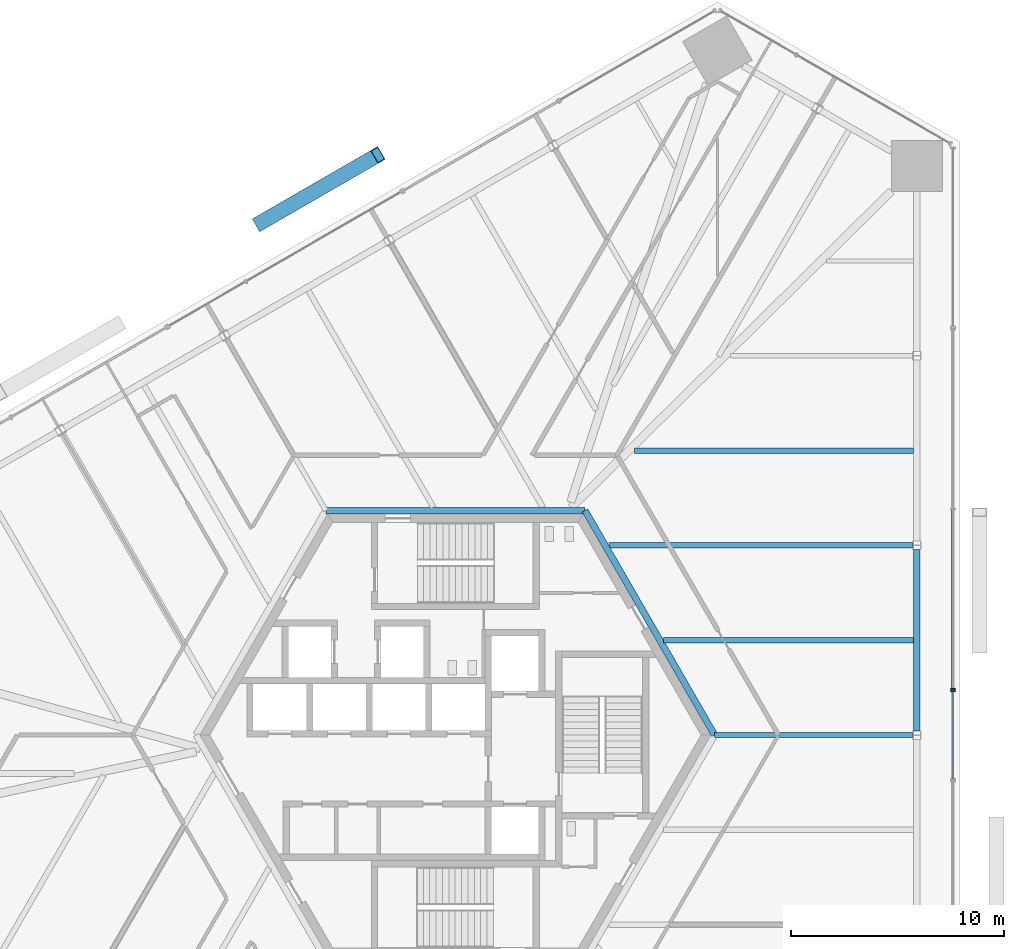
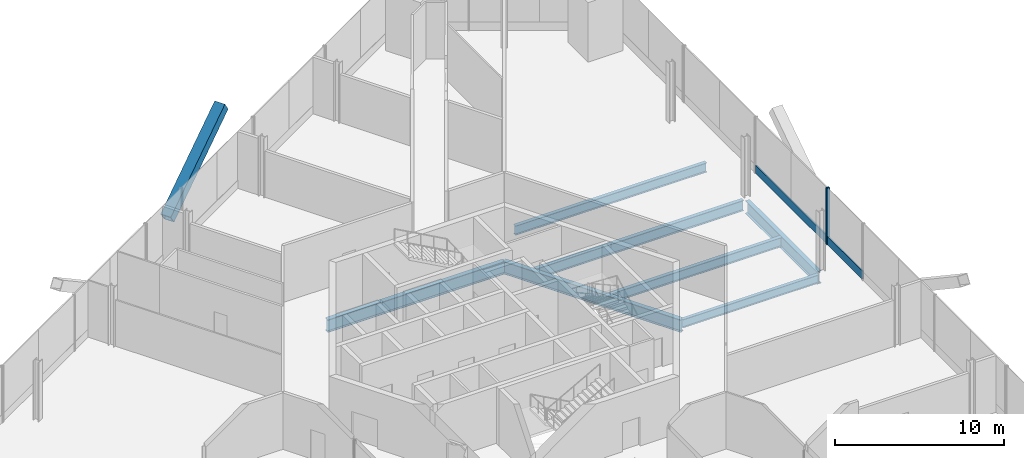
# One storey, part 7 of 16: 7 beams, 5 members, 2 elements without a shape of their own.
"""IFC4 building model written with IfcOpenShell, lengths in metres."""

from ifc_helpers import new_model, si_unit, direction, frame, origin, origin_2d, place, context, subcontext, project, spatial, rectangle, hollow_rectangle, i_section, extrude, source, transform, mapped, material, material_profile, profile_set, type_object, element, aggregate, save


model = new_model("IFC4")

# Units and contexts
model_context = context("Model", 3, precision=1e-05, world=origin(), true_north=direction((0.0, 1.0)))
body_context = subcontext(model_context, "Body", "Model", "MODEL_VIEW")
ifc_project = project(units=[si_unit("LENGTHUNIT", "METRE"), si_unit("AREAUNIT", "SQUARE_METRE"), si_unit("VOLUMEUNIT", "CUBIC_METRE"), si_unit("PLANEANGLEUNIT", "RADIAN"), si_unit("MASSUNIT", "GRAM", prefix="KILO")], contexts=[model_context])

# Site, building, storey
site_placement = place(None, origin())
site = spatial("IfcSite", under=ifc_project, at=site_placement, CompositionType="ELEMENT")
building_placement = place(site_placement, origin())
building = spatial("IfcBuilding", under=site, at=building_placement, Name="Triune Harvest Tower", CompositionType="ELEMENT")
storey_placement = place(building_placement, frame((0.0, 0.0, 37.5)))
storey = spatial("IfcBuildingStorey", under=building, at=storey_placement, Name="L08", CompositionType="ELEMENT", Elevation=37.5)

# Beams
ifc_material_1 = material(Name="Steel ASTM A992 Gr 50", Category="steel")
ifc_material_profile_1 = material_profile(ifc_material_1, i_section(OverallWidth=0.3046875, OverallDepth=0.914306640625, WebThickness=0.0166015625, FlangeThickness=0.02587890625, at=origin_2d()), Name="W36x160")
ifc_profile_set_1 = profile_set([ifc_material_profile_1], Name="Steel ASTM A992 Gr 50")
beam_type_1 = type_object("IfcBeamType", Name="CG-1 Core ring girder W36x160", PredefinedType="BEAM", material=ifc_profile_set_1)
shared_shape_1 = source(origin(), body_context, "Body", "SweptSolid", [
    extrude(i_section(OverallWidth=0.3046875, OverallDepth=0.914306640625, WebThickness=0.0166015625, FlangeThickness=0.02587890625, at=origin_2d()), origin(), (0.0, 0.0, 1.0), 12.176025390625),
])
beam_1_placement = place(storey_placement, frame((12.176025390625, 0.0, -0.6572265625), z_axis=(-0.5000099932, 0.866019634131, 0.0), x_axis=(-0.866019634131, -0.5000099932, 0.0)))
element("IfcBeam", 1, at=beam_1_placement, inside=storey, type_object=beam_type_1, Name="beam/L08/CG1", PredefinedType="BEAM", context=body_context, shape_type="MappedRepresentation", body=[
    mapped(shared_shape_1, transform((0.0, 0.0, 0.0), scale=1.0)),
])
shared_shape_2 = source(origin(), body_context, "Body", "SweptSolid", [
    extrude(i_section(OverallWidth=0.3046875, OverallDepth=0.914306640625, WebThickness=0.0166015625, FlangeThickness=0.02587890625, at=origin_2d()), origin(), (0.0, 0.0, 1.0), 12.17578125),
])
beam_2_placement = place(storey_placement, frame((6.087890625, 10.544677734375, -0.6572265625), z_axis=(-1.0, 0.0, 0.0), x_axis=(0.0, -1.0, 0.0)))
element("IfcBeam", 2, at=beam_2_placement, inside=storey, type_object=beam_type_1, Name="beam/L08/CG2", PredefinedType="BEAM", context=body_context, shape_type="MappedRepresentation", body=[
    mapped(shared_shape_2, transform((0.0, 0.0, 0.0), scale=1.0)),
])
ifc_material_2 = material(Name="Steel ASTM A992 Gr 50", Category="steel")
ifc_material_profile_2 = material_profile(ifc_material_2, i_section(OverallWidth=0.2666015625, OverallDepth=0.7568359375, WebThickness=0.013916015625, FlangeThickness=0.019287109375, at=origin_2d()), Name="W30x108")
ifc_profile_set_2 = profile_set([ifc_material_profile_2], Name="Steel ASTM A992 Gr 50")
beam_type_2 = type_object("IfcBeamType", Name="JT-5 Floor joist W30x108", PredefinedType="JOIST", material=ifc_profile_set_2)
shared_shape_3 = source(origin(), body_context, "Body", "SweptSolid", [
    extrude(i_section(OverallWidth=0.2666015625, OverallDepth=0.7568359375, WebThickness=0.013916015625, FlangeThickness=0.019287109375, at=origin_2d()), origin(), (0.0, 0.0, 1.0), 14.2685546875),
])
beam_3_placement = place(storey_placement, frame((21.476318359375, 8.909912109375, -0.57861328125), z_axis=(-1.0, 0.0, 0.0), x_axis=(0.0, -1.0, 0.0)))
element("IfcBeam", 3, at=beam_3_placement, inside=storey, type_object=beam_type_2, Name="beam/L08/JT8", PredefinedType="JOIST", context=body_context, shape_type="MappedRepresentation", body=[
    mapped(shared_shape_3, transform((0.0, 0.0, 0.0), scale=1.0)),
])
ifc_material_3 = material(Name="Steel ASTM A992 Gr 50", Category="steel")
ifc_material_profile_3 = material_profile(ifc_material_3, i_section(OverallWidth=0.22900390625, OverallDepth=0.612060546875, WebThickness=0.011962890625, FlangeThickness=0.01953125, at=origin_2d()), Name="W24x84")
ifc_profile_set_3 = profile_set([ifc_material_profile_3], Name="Steel ASTM A992 Gr 50")
beam_type_3 = type_object("IfcBeamType", Name="JT-3 Floor joist W24x84", PredefinedType="JOIST", material=ifc_profile_set_3)
shared_shape_4 = source(origin(), body_context, "Body", "SweptSolid", [
    extrude(i_section(OverallWidth=0.22900390625, OverallDepth=0.612060546875, WebThickness=0.011962890625, FlangeThickness=0.01953125, at=origin_2d()), origin(), (0.0, 0.0, 1.0), 9.30029296875),
])
beam_4_placement = place(storey_placement, frame((21.476318359375, 0.0, -0.506103515625), z_axis=(-1.0, 0.0, 0.0), x_axis=(0.0, -1.0, 0.0)))
element("IfcBeam", 4, at=beam_4_placement, inside=storey, type_object=beam_type_3, Name="beam/L08/JT6", PredefinedType="JOIST", context=body_context, shape_type="MappedRepresentation", body=[
    mapped(shared_shape_4, transform((0.0, 0.0, 0.0), scale=1.0)),
])
ifc_material_4 = material(Name="Steel ASTM A992 Gr 50", Category="steel")
ifc_material_profile_4 = material_profile(ifc_material_4, i_section(OverallWidth=0.3046875, OverallDepth=0.914306640625, WebThickness=0.0166015625, FlangeThickness=0.02587890625, at=origin_2d()), Name="W36x160")
ifc_profile_set_4 = profile_set([ifc_material_profile_4], Name="Steel ASTM A992 Gr 50")
beam_type_4 = type_object("IfcBeamType", Name="SB-1 Spandrel beam W36x160", PredefinedType="SPANDREL", material=ifc_profile_set_4)
shared_shape_5 = source(origin(), body_context, "Body", "SweptSolid", [
    extrude(i_section(OverallWidth=0.3046875, OverallDepth=0.914306640625, WebThickness=0.0166015625, FlangeThickness=0.02587890625, at=origin_2d()), origin(), (0.0, 0.0, 1.0), 8.506103515625),
])
beam_5_placement = place(storey_placement, frame((21.679443359375, 0.201904296875, -0.6572265625), z_axis=(0.0, 1.0, 0.0), x_axis=(-1.0, 0.0, 0.0)))
element("IfcBeam", 5, at=beam_5_placement, inside=storey, type_object=beam_type_4, Name="beam/L08/SB4", PredefinedType="SPANDREL", context=body_context, shape_type="MappedRepresentation", body=[
    mapped(shared_shape_5, transform((0.0, 0.0, 0.0), scale=1.0)),
])
ifc_material_5 = material(Name="Steel ASTM A992 Gr 50", Category="steel")
ifc_material_profile_5 = material_profile(ifc_material_5, i_section(OverallWidth=0.253662109375, OverallDepth=0.683349609375, WebThickness=0.012451171875, FlangeThickness=0.01904296875, at=origin_2d()), Name="W27x94")
ifc_profile_set_5 = profile_set([ifc_material_profile_5], Name="Steel ASTM A992 Gr 50")
beam_type_5 = type_object("IfcBeamType", Name="JT-4 Floor joist W27x94", PredefinedType="JOIST", material=ifc_profile_set_5)
shared_shape_6 = source(origin(), body_context, "Body", "SweptSolid", [
    extrude(i_section(OverallWidth=0.253662109375, OverallDepth=0.683349609375, WebThickness=0.012451171875, FlangeThickness=0.01904296875, at=origin_2d()), origin(), (0.0, 0.0, 1.0), 11.747314453125),
])
beam_6_placement = place(storey_placement, frame((21.527099609375, 4.455078125, -0.54150390625), z_axis=(-1.0, 0.0, 0.0), x_axis=(0.0, -1.0, 0.0)))
element("IfcBeam", 6, at=beam_6_placement, inside=storey, type_object=beam_type_5, Name="beam/L08/JT7", PredefinedType="JOIST", context=body_context, shape_type="MappedRepresentation", body=[
    mapped(shared_shape_6, transform((0.0, 0.0, 0.0), scale=1.0)),
])
shared_shape_7 = source(origin(), body_context, "Body", "SweptSolid", [
    extrude(i_section(OverallWidth=0.253662109375, OverallDepth=0.683349609375, WebThickness=0.012451171875, FlangeThickness=0.01904296875, at=origin_2d()), origin(), (0.0, 0.0, 1.0), 13.110107421875),
])
beam_7_placement = place(storey_placement, frame((21.527099609375, 13.364990234375, -0.54150390625), z_axis=(-1.0, 0.0, 0.0), x_axis=(0.0, -1.0, 0.0)))
element("IfcBeam", 7, at=beam_7_placement, inside=storey, type_object=beam_type_5, Name="beam/L08/JT9", PredefinedType="JOIST", context=body_context, shape_type="MappedRepresentation", body=[
    mapped(shared_shape_7, transform((0.0, 0.0, 0.0), scale=1.0)),
])

# Member
ifc_material_6 = material(Name="Steel ASTM A572 Gr 50", Category="steel")
ifc_material_profile_6 = material_profile(ifc_material_6, hollow_rectangle(XDim=0.699951171875, YDim=0.699951171875, WallThickness=0.0400390625, at=origin_2d()), Name="Box 700x700x40")
ifc_profile_set_6 = profile_set([ifc_material_profile_6], Name="Steel ASTM A572 Gr 50")
member_type_1 = type_object("IfcMemberType", Name="BR-1 Brace Box 700x700x40", PredefinedType="BRACE", material=ifc_profile_set_6)
shared_shape_8 = source(origin(), body_context, "Body", "SweptSolid", [
    extrude(hollow_rectangle(XDim=0.699951171875, YDim=0.699951171875, WallThickness=0.0400390625, at=origin_2d()), origin(), (0.0, 0.0, 1.0), 7.728515625),
])
member_1_placement = place(storey_placement, frame((-9.203369140625, 24.04052734375, 0.0), z_axis=(0.719604017031, 0.415462336786, 0.556382157681), x_axis=(-0.499998884236, 0.86602604797, 0.0)))
element("IfcMember", 8, at=member_1_placement, inside=storey, type_object=member_type_1, Name="brace/B1-F3/d2/6", PredefinedType="BRACE", context=body_context, shape_type="MappedRepresentation", body=[
    mapped(shared_shape_8, transform((0.0, 0.0, 0.0), scale=1.0)),
])

# Curtain wall, member
ifc_material_7 = material(Name="Aluminium bronze anodised", Category="aluminium")
curtain_wall_type_1 = type_object("IfcCurtainWallType", Name="CW-3 Farm floor curtain wall", PredefinedType="NOTDEFINED", material=ifc_material_7)
curtain_wall_1_placement = place(storey_placement, origin())
curtain_wall_1 = element("IfcCurtainWall", 9, at=curtain_wall_1_placement, inside=storey, type_object=curtain_wall_type_1, Name="CW-3 B1-F1 L08 run 2001")
ifc_material_8 = material(Name="Aluminium bronze anodised", Category="aluminium")
ifc_material_profile_7 = material_profile(ifc_material_8, rectangle(XDim=0.199951171875, YDim=0.080078125, at=origin_2d()), Name="MU-3 mullion 80 x 200")
ifc_profile_set_7 = profile_set([ifc_material_profile_7], Name="Aluminium bronze anodised")
member_type_2 = type_object("IfcMemberType", Name="MU-3 mullion 80 x 200", PredefinedType="MULLION", material=ifc_profile_set_7)
shared_shape_9 = source(origin(), body_context, "Body", "SweptSolid", [
    extrude(rectangle(XDim=0.199951171875, YDim=0.080078125, at=origin_2d()), origin(), (0.0, 0.0, 1.0), 4.10009765625),
])
member_2_placement = place(storey_placement, frame((23.371337890625, 2.08447265625, 0.0), z_axis=(0.0, 0.0, 1.0), x_axis=(-1.0, 0.0, 0.0)))
member_2 = element("IfcMember", 10, at=member_2_placement, type_object=member_type_2, Name="CW-3 mullion B1-F1 2001.2", PredefinedType="MULLION", context=body_context, shape_type="MappedRepresentation", body=[
    mapped(shared_shape_9, transform((0.0, 0.0, 0.0), scale=1.0)),
])

# Curtain wall, members
ifc_material_9 = material(Name="Aluminium bronze anodised", Category="aluminium")
curtain_wall_type_2 = type_object("IfcCurtainWallType", Name="CW-8 Farm floor curtain wall with insulated spandrel infill", PredefinedType="NOTDEFINED", material=ifc_material_9)
curtain_wall_2_placement = place(storey_placement, origin())
curtain_wall_2 = element("IfcCurtainWall", 11, at=curtain_wall_2_placement, inside=storey, type_object=curtain_wall_type_2, Name="CW-8 B1-F1 L08 run 3001")
member_3_placement = place(storey_placement, frame((23.371337890625, 2.164306640625, 0.0), z_axis=(0.0, 0.0, 1.0), x_axis=(-1.0, 0.0, 0.0)))
member_3 = element("IfcMember", 12, at=member_3_placement, type_object=member_type_2, Name="CW-8 mullion B1-F1 3001.1", PredefinedType="MULLION", context=body_context, shape_type="MappedRepresentation", body=[
    mapped(shared_shape_9, transform((0.0, 0.0, 0.0), scale=1.0)),
])
ifc_material_10 = material(Name="Aluminium bronze anodised", Category="aluminium")
ifc_material_profile_8 = material_profile(ifc_material_10, rectangle(XDim=0.090087890625, YDim=0.60009765625, at=origin_2d()), Name="TR-3 transom 90 x 600")
ifc_profile_set_8 = profile_set([ifc_material_profile_8], Name="Aluminium bronze anodised")
member_type_3 = type_object("IfcMemberType", Name="TR-3 transom 90 x 600", PredefinedType="USERDEFINED", material=ifc_profile_set_8)
shared_shape_10 = source(origin(), body_context, "Body", "SweptSolid", [
    extrude(rectangle(XDim=0.090087890625, YDim=0.60009765625, at=origin_2d()), origin(), (0.0, 0.0, 1.0), 8.37744140625),
])
member_4_placement = place(storey_placement, frame((23.371337890625, 2.204345703125, 0.300048828125), z_axis=(0.0, 1.0, 0.0), x_axis=(-1.0, 0.0, 0.0)))
member_4 = element("IfcMember", 13, at=member_4_placement, type_object=member_type_3, Name="CW-8 transom B1-F1 3001.1", ObjectType="TRANSOM", PredefinedType="USERDEFINED", context=body_context, shape_type="MappedRepresentation", body=[
    mapped(shared_shape_10, transform((0.0, 0.0, 0.0), scale=1.0)),
])
aggregate(curtain_wall_2, [member_3, member_4])

# Member
shared_shape_11 = source(origin(), body_context, "Body", "SweptSolid", [
    extrude(rectangle(XDim=0.090087890625, YDim=0.60009765625, at=origin_2d()), origin(), (0.0, 0.0, 1.0), 4.0888671875),
])
member_5_placement = place(storey_placement, frame((23.371337890625, -2.04443359375, 0.300048828125), z_axis=(0.0, 1.0, 0.0), x_axis=(-1.0, 0.0, 0.0)))
member_5 = element("IfcMember", 14, at=member_5_placement, type_object=member_type_3, Name="CW-3 transom B1-F1 2001.1", ObjectType="TRANSOM", PredefinedType="USERDEFINED", context=body_context, shape_type="MappedRepresentation", body=[
    mapped(shared_shape_11, transform((0.0, 0.0, 0.0), scale=1.0)),
])

aggregate(curtain_wall_1, [member_2, member_5])

save(model, "model.ifc")
